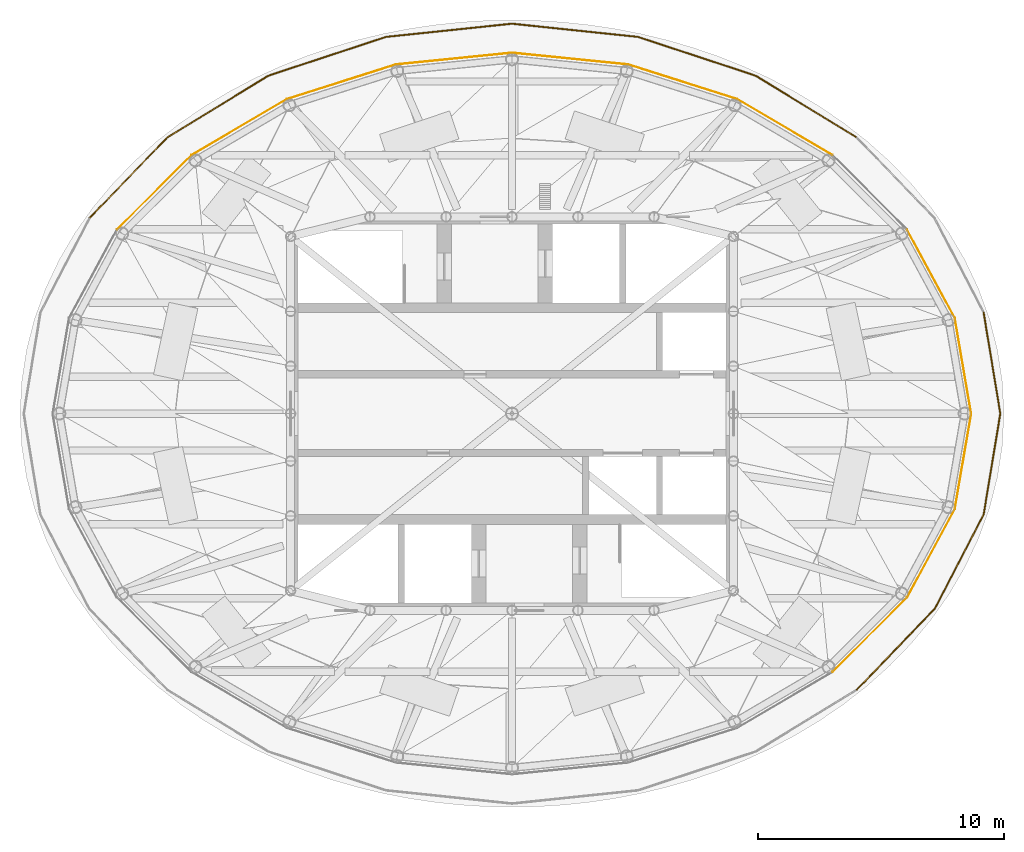
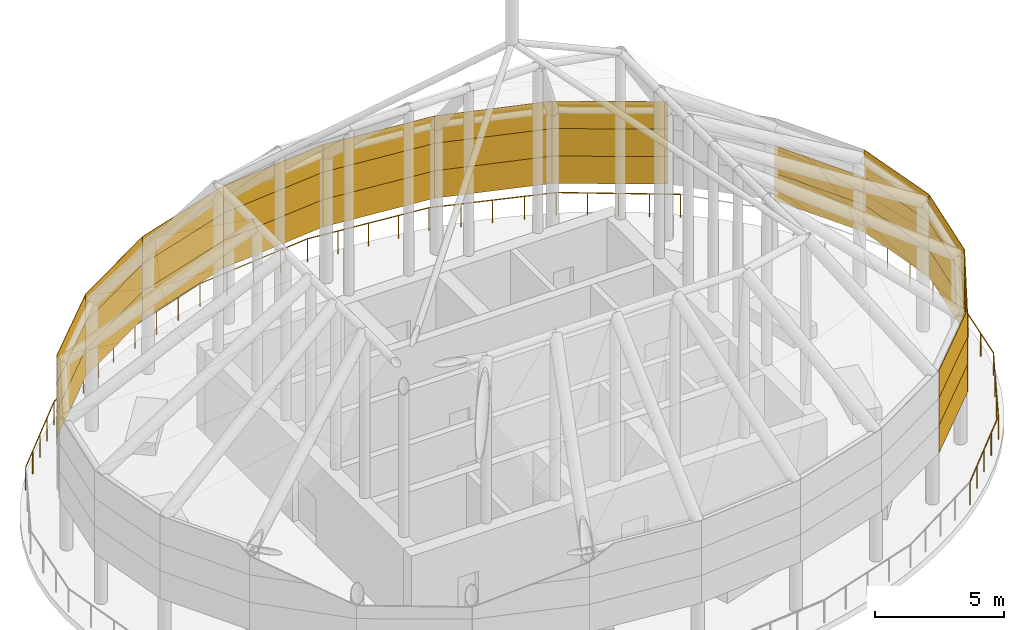
# One storey, part 7 of 8: 35 coverings, 11 railings.
"""IFC4 building model written with IfcOpenShell, lengths in metres."""

from ifc_helpers import new_model, si_unit, direction, frame, origin, origin_2d, place, context, subcontext, project, spatial, polyline, circle, outline, extrude, material, layer, layer_set, type_object, element, save


model = new_model("IFC4")

# Units and contexts
model_context = context("Model", 3, precision=1e-05, world=origin(), true_north=direction((0.0, 1.0)))
body_context = subcontext(model_context, "Body", "Model", "MODEL_VIEW")
ifc_project = project(units=[si_unit("LENGTHUNIT", "METRE"), si_unit("AREAUNIT", "SQUARE_METRE"), si_unit("VOLUMEUNIT", "CUBIC_METRE"), si_unit("PLANEANGLEUNIT", "RADIAN"), si_unit("MASSUNIT", "GRAM", prefix="KILO")], contexts=[model_context])

# Site, building, storey
site_placement = place(None, origin())
site = spatial("IfcSite", under=ifc_project, at=site_placement, CompositionType="ELEMENT")
building_placement = place(site_placement, origin())
building = spatial("IfcBuilding", under=site, at=building_placement, Name="Hankou Lantern Tower", CompositionType="ELEMENT")
storey_placement = place(building_placement, frame((0.0, 0.0, 248.699951171875)))
storey = spatial("IfcBuildingStorey", under=building, at=storey_placement, Name="RF", CompositionType="ELEMENT", Elevation=248.699951171875)

# Railings
ifc_material_1 = material(Name="Stainless steel and laminated glass guard", Category="steel")
railing_type = type_object("IfcRailingType", Name="GR1 GUARD 1100", PredefinedType="GUARDRAIL", material=ifc_material_1)
railing_1_placement = place(storey_placement, frame((19.85009765625, 0.0, 0.0)))
element("IfcRailing", 1, at=railing_1_placement, inside=storey, type_object=railing_type, Name="Roof garden guard R01", PredefinedType="GUARDRAIL", context=body_context, shape_type="SweptSolid", body=[
    extrude(circle(Radius=0.02392578125, at=origin_2d()), frame((0.0, 0.0, 1.076171875), z_axis=(-0.163001624862, 0.986625800541, 0.0), x_axis=(-0.986625800541, -0.163001624862, 0.0)), (0.0, 0.0, 1.0), 4.165283203125),
    extrude(circle(Radius=0.02099609375, at=origin_2d()), origin(), (0.0, 0.0, 1.0), 1.052001953125),
    extrude(circle(Radius=0.02099609375, at=origin_2d()), frame((-0.226318359375, 1.369873046875, 0.0)), (0.0, 0.0, 1.0), 1.052001953125),
    extrude(circle(Radius=0.02099609375, at=origin_2d()), frame((-0.45263671875, 2.73974609375, 0.0)), (0.0, 0.0, 1.0), 1.052001953125),
    extrude(circle(Radius=0.02099609375, at=origin_2d()), frame((-0.678955078125, 4.109619140625, 0.0)), (0.0, 0.0, 1.0), 1.052001953125),
])
railing_2_placement = place(storey_placement, frame((14.022705078125, 11.21826171875, 0.0)))
element("IfcRailing", 2, at=railing_2_placement, inside=storey, type_object=railing_type, Name="Roof garden guard R04", PredefinedType="GUARDRAIL", context=body_context, shape_type="SweptSolid", body=[
    extrude(circle(Radius=0.02392578125, at=origin_2d()), frame((0.0, 0.0, 1.076171875), z_axis=(-0.853108995208, 0.521732730711, 0.0), x_axis=(-0.521732730711, -0.853108995208, 0.0)), (0.0, 0.0, 1.0), 4.81982421875),
    extrude(circle(Radius=0.02099609375, at=origin_2d()), origin(), (0.0, 0.0, 1.0), 1.052001953125),
    extrude(circle(Radius=0.02099609375, at=origin_2d()), frame((-1.02783203125, 0.628662109375, 0.0)), (0.0, 0.0, 1.0), 1.052001953125),
    extrude(circle(Radius=0.02099609375, at=origin_2d()), frame((-2.055908203125, 1.25732421875, 0.0)), (0.0, 0.0, 1.0), 1.052001953125),
    extrude(circle(Radius=0.02099609375, at=origin_2d()), frame((-3.083984375, 1.885986328125, 0.0)), (0.0, 0.0, 1.0), 1.052001953125),
    extrude(circle(Radius=0.02099609375, at=origin_2d()), frame((-4.11181640625, 2.5146484375, 0.0)), (0.0, 0.0, 1.0), 1.052001953125),
])
railing_3_placement = place(storey_placement, frame((9.910888671875, 13.73291015625, 0.0)))
element("IfcRailing", 3, at=railing_3_placement, inside=storey, type_object=railing_type, Name="Roof garden guard R05", PredefinedType="GUARDRAIL", context=body_context, shape_type="SweptSolid", body=[
    extrude(circle(Radius=0.02392578125, at=origin_2d()), frame((0.0, 0.0, 1.076171875), z_axis=(-0.949590701779, 0.313492422707, 0.0), x_axis=(-0.313492422707, -0.949590701779, 0.0)), (0.0, 0.0, 1.0), 5.036376953125),
    extrude(circle(Radius=0.02099609375, at=origin_2d()), origin(), (0.0, 0.0, 1.0), 1.052001953125),
    extrude(circle(Radius=0.02099609375, at=origin_2d()), frame((-1.195556640625, 0.394775390625, 0.0)), (0.0, 0.0, 1.0), 1.052001953125),
    extrude(circle(Radius=0.02099609375, at=origin_2d()), frame((-2.39111328125, 0.78955078125, 0.0)), (0.0, 0.0, 1.0), 1.052001953125),
    extrude(circle(Radius=0.02099609375, at=origin_2d()), frame((-3.5869140625, 1.18408203125, 0.0)), (0.0, 0.0, 1.0), 1.052001953125),
    extrude(circle(Radius=0.02099609375, at=origin_2d()), frame((-4.782470703125, 1.578857421875, 0.0)), (0.0, 0.0, 1.0), 1.052001953125),
])
railing_4_placement = place(storey_placement, frame((5.12841796875, 15.311767578125, 0.0)))
element("IfcRailing", 4, at=railing_4_placement, inside=storey, type_object=railing_type, Name="Roof garden guard R06", PredefinedType="GUARDRAIL", context=body_context, shape_type="SweptSolid", body=[
    extrude(circle(Radius=0.02392578125, at=origin_2d()), frame((0.0, 0.0, 1.076171875), z_axis=(-0.994535764007, 0.10439642767, 0.0), x_axis=(-0.10439642767, -0.994535764007, 0.0)), (0.0, 0.0, 1.0), 5.156494140625),
    extrude(circle(Radius=0.02099609375, at=origin_2d()), origin(), (0.0, 0.0, 1.0), 1.052001953125),
    extrude(circle(Radius=0.02099609375, at=origin_2d()), frame((-1.2822265625, 0.134521484375, 0.0)), (0.0, 0.0, 1.0), 1.052001953125),
    extrude(circle(Radius=0.02099609375, at=origin_2d()), frame((-2.564208984375, 0.26904296875, 0.0)), (0.0, 0.0, 1.0), 1.052001953125),
    extrude(circle(Radius=0.02099609375, at=origin_2d()), frame((-3.84619140625, 0.40380859375, 0.0)), (0.0, 0.0, 1.0), 1.052001953125),
    extrude(circle(Radius=0.02099609375, at=origin_2d()), frame((-5.12841796875, 0.538330078125, 0.0)), (0.0, 0.0, 1.0), 1.052001953125),
])
railing_5_placement = place(storey_placement, frame((0.0, 15.85009765625, 0.0)))
element("IfcRailing", 5, at=railing_5_placement, inside=storey, type_object=railing_type, Name="Roof garden guard R07", PredefinedType="GUARDRAIL", context=body_context, shape_type="SweptSolid", body=[
    extrude(circle(Radius=0.02392578125, at=origin_2d()), frame((0.0, 0.0, 1.076171875), z_axis=(-0.994535764007, -0.10439642767, 0.0), x_axis=(0.10439642767, -0.994535764007, 0.0)), (0.0, 0.0, 1.0), 5.156494140625),
    extrude(circle(Radius=0.02099609375, at=origin_2d()), origin(), (0.0, 0.0, 1.0), 1.052001953125),
    extrude(circle(Radius=0.02099609375, at=origin_2d()), frame((-1.2822265625, -0.134521484375, 0.0)), (0.0, 0.0, 1.0), 1.052001953125),
    extrude(circle(Radius=0.02099609375, at=origin_2d()), frame((-2.564208984375, -0.26904296875, 0.0)), (0.0, 0.0, 1.0), 1.052001953125),
    extrude(circle(Radius=0.02099609375, at=origin_2d()), frame((-3.84619140625, -0.40380859375, 0.0)), (0.0, 0.0, 1.0), 1.052001953125),
    extrude(circle(Radius=0.02099609375, at=origin_2d()), frame((-5.12841796875, -0.538330078125, 0.0)), (0.0, 0.0, 1.0), 1.052001953125),
])
railing_6_placement = place(storey_placement, frame((-5.12841796875, 15.311767578125, 0.0)))
element("IfcRailing", 6, at=railing_6_placement, inside=storey, type_object=railing_type, Name="Roof garden guard R08", PredefinedType="GUARDRAIL", context=body_context, shape_type="SweptSolid", body=[
    extrude(circle(Radius=0.02392578125, at=origin_2d()), frame((0.0, 0.0, 1.076171875), z_axis=(-0.949590701779, -0.313492422707, 0.0), x_axis=(0.313492422707, -0.949590701779, 0.0)), (0.0, 0.0, 1.0), 5.036376953125),
    extrude(circle(Radius=0.02099609375, at=origin_2d()), origin(), (0.0, 0.0, 1.0), 1.052001953125),
    extrude(circle(Radius=0.02099609375, at=origin_2d()), frame((-1.195556640625, -0.394775390625, 0.0)), (0.0, 0.0, 1.0), 1.052001953125),
    extrude(circle(Radius=0.02099609375, at=origin_2d()), frame((-2.39111328125, -0.78955078125, 0.0)), (0.0, 0.0, 1.0), 1.052001953125),
    extrude(circle(Radius=0.02099609375, at=origin_2d()), frame((-3.5869140625, -1.18408203125, 0.0)), (0.0, 0.0, 1.0), 1.052001953125),
    extrude(circle(Radius=0.02099609375, at=origin_2d()), frame((-4.782470703125, -1.578857421875, 0.0)), (0.0, 0.0, 1.0), 1.052001953125),
])
railing_7_placement = place(storey_placement, frame((-9.910888671875, 13.73291015625, 0.0)))
element("IfcRailing", 7, at=railing_7_placement, inside=storey, type_object=railing_type, Name="Roof garden guard R09", PredefinedType="GUARDRAIL", context=body_context, shape_type="SweptSolid", body=[
    extrude(circle(Radius=0.02392578125, at=origin_2d()), frame((0.0, 0.0, 1.076171875), z_axis=(-0.853108995208, -0.521732730711, 0.0), x_axis=(0.521732730711, -0.853108995208, 0.0)), (0.0, 0.0, 1.0), 4.81982421875),
    extrude(circle(Radius=0.02099609375, at=origin_2d()), origin(), (0.0, 0.0, 1.0), 1.052001953125),
    extrude(circle(Radius=0.02099609375, at=origin_2d()), frame((-1.02783203125, -0.628662109375, 0.0)), (0.0, 0.0, 1.0), 1.052001953125),
    extrude(circle(Radius=0.02099609375, at=origin_2d()), frame((-2.055908203125, -1.25732421875, 0.0)), (0.0, 0.0, 1.0), 1.052001953125),
    extrude(circle(Radius=0.02099609375, at=origin_2d()), frame((-3.083984375, -1.885986328125, 0.0)), (0.0, 0.0, 1.0), 1.052001953125),
    extrude(circle(Radius=0.02099609375, at=origin_2d()), frame((-4.11181640625, -2.5146484375, 0.0)), (0.0, 0.0, 1.0), 1.052001953125),
])
railing_8_placement = place(storey_placement, frame((-14.022705078125, 11.21826171875, 0.0)))
element("IfcRailing", 8, at=railing_8_placement, inside=storey, type_object=railing_type, Name="Roof garden guard R10", PredefinedType="GUARDRAIL", context=body_context, shape_type="SweptSolid", body=[
    extrude(circle(Radius=0.02392578125, at=origin_2d()), frame((0.0, 0.0, 1.076171875), z_axis=(-0.693555176041, -0.720403510394, 0.0), x_axis=(0.720403510394, -0.693555176041, 0.0)), (0.0, 0.0, 1.0), 4.5556640625),
    extrude(circle(Radius=0.02099609375, at=origin_2d()), origin(), (0.0, 0.0, 1.0), 1.052001953125),
    extrude(circle(Radius=0.02099609375, at=origin_2d()), frame((-0.7900390625, -0.820556640625, 0.0)), (0.0, 0.0, 1.0), 1.052001953125),
    extrude(circle(Radius=0.02099609375, at=origin_2d()), frame((-1.579833984375, -1.64111328125, 0.0)), (0.0, 0.0, 1.0), 1.052001953125),
    extrude(circle(Radius=0.02099609375, at=origin_2d()), frame((-2.36962890625, -2.46142578125, 0.0)), (0.0, 0.0, 1.0), 1.052001953125),
    extrude(circle(Radius=0.02099609375, at=origin_2d()), frame((-3.15966796875, -3.281982421875, 0.0)), (0.0, 0.0, 1.0), 1.052001953125),
])
railing_9_placement = place(storey_placement, frame((14.022705078125, -11.21826171875, 0.0)))
element("IfcRailing", 9, at=railing_9_placement, inside=storey, type_object=railing_type, Name="Roof garden guard R22", PredefinedType="GUARDRAIL", context=body_context, shape_type="SweptSolid", body=[
    extrude(circle(Radius=0.02392578125, at=origin_2d()), frame((0.0, 0.0, 1.076171875), z_axis=(0.693555176041, 0.720403510394, 0.0), x_axis=(-0.720403510394, 0.693555176041, 0.0)), (0.0, 0.0, 1.0), 4.5556640625),
    extrude(circle(Radius=0.02099609375, at=origin_2d()), origin(), (0.0, 0.0, 1.0), 1.052001953125),
    extrude(circle(Radius=0.02099609375, at=origin_2d()), frame((0.7900390625, 0.820556640625, 0.0)), (0.0, 0.0, 1.0), 1.052001953125),
    extrude(circle(Radius=0.02099609375, at=origin_2d()), frame((1.579833984375, 1.64111328125, 0.0)), (0.0, 0.0, 1.0), 1.052001953125),
    extrude(circle(Radius=0.02099609375, at=origin_2d()), frame((2.36962890625, 2.46142578125, 0.0)), (0.0, 0.0, 1.0), 1.052001953125),
    extrude(circle(Radius=0.02099609375, at=origin_2d()), frame((3.15966796875, 3.281982421875, 0.0)), (0.0, 0.0, 1.0), 1.052001953125),
])
railing_10_placement = place(storey_placement, frame((17.182373046875, -7.936279296875, 0.0)))
element("IfcRailing", 10, at=railing_10_placement, inside=storey, type_object=railing_type, Name="Roof garden guard R23", PredefinedType="GUARDRAIL", context=body_context, shape_type="SweptSolid", body=[
    extrude(circle(Radius=0.02392578125, at=origin_2d()), frame((0.0, 0.0, 1.076171875), z_axis=(0.461153089245, 0.887320589347, 0.0), x_axis=(-0.887320589347, 0.461153089245, 0.0)), (0.0, 0.0, 1.0), 4.3125),
    extrude(circle(Radius=0.02099609375, at=origin_2d()), origin(), (0.0, 0.0, 1.0), 1.052001953125),
    extrude(circle(Radius=0.02099609375, at=origin_2d()), frame((0.662841796875, 1.275634765625, 0.0)), (0.0, 0.0, 1.0), 1.052001953125),
    extrude(circle(Radius=0.02099609375, at=origin_2d()), frame((1.325927734375, 2.551025390625, 0.0)), (0.0, 0.0, 1.0), 1.052001953125),
    extrude(circle(Radius=0.02099609375, at=origin_2d()), frame((1.98876953125, 3.82666015625, 0.0)), (0.0, 0.0, 1.0), 1.052001953125),
])
railing_11_placement = place(storey_placement, frame((19.171142578125, -4.109619140625, 0.0)))
element("IfcRailing", 11, at=railing_11_placement, inside=storey, type_object=railing_type, Name="Roof garden guard R24", PredefinedType="GUARDRAIL", context=body_context, shape_type="SweptSolid", body=[
    extrude(circle(Radius=0.02392578125, at=origin_2d()), frame((0.0, 0.0, 1.076171875), z_axis=(0.163001624862, 0.986625800541, 0.0), x_axis=(-0.986625800541, 0.163001624862, 0.0)), (0.0, 0.0, 1.0), 4.165283203125),
    extrude(circle(Radius=0.02099609375, at=origin_2d()), origin(), (0.0, 0.0, 1.0), 1.052001953125),
    extrude(circle(Radius=0.02099609375, at=origin_2d()), frame((0.226318359375, 1.369873046875, 0.0)), (0.0, 0.0, 1.0), 1.052001953125),
    extrude(circle(Radius=0.02099609375, at=origin_2d()), frame((0.45263671875, 2.73974609375, 0.0)), (0.0, 0.0, 1.0), 1.052001953125),
    extrude(circle(Radius=0.02099609375, at=origin_2d()), frame((0.678955078125, 4.109619140625, 0.0)), (0.0, 0.0, 1.0), 1.052001953125),
])

# Coverings
ifc_material_2 = material(Name="Perforated aluminium, black anodised", Category="aluminium")
ifc_layer = layer(ifc_material_2, 0.02001953125)
ifc_layer_set = layer_set([ifc_layer], Name="Perforated aluminium, black anodised")
covering_type = type_object("IfcCoveringType", Name="LS1 LANTERN SCREEN PANEL", PredefinedType="CLADDING", material=ifc_layer_set)
covering_1_placement = place(storey_placement, frame((18.677978515625, 0.00341796875, 2.35009765625), z_axis=(0.985553571326, 0.169363980958, 0.0), x_axis=(-0.169363980958, 0.985553571326, 0.0)))
element("IfcCovering", 12, at=covering_1_placement, inside=storey, type_object=covering_type, Name="Lantern screen R01-R02 row 1", PredefinedType="CLADDING", context=body_context, shape_type="SweptSolid", body=[
    extrude(outline(polyline([(0.0, 0.0), (3.9454250357412843, 0.0), (3.9454250357412843, 1.300048828125), (0.0, 1.300048828125), (0.0, 0.0)])), origin(), (0.0, 0.0, -1.0), 0.02001953125),
])
covering_2_placement = place(storey_placement, frame((18.677978515625, 0.00341796875, 3.650146484375), z_axis=(0.985553571326, 0.169363980958, 0.0), x_axis=(-0.169363980958, 0.985553571326, 0.0)))
element("IfcCovering", 13, at=covering_2_placement, inside=storey, type_object=covering_type, Name="Lantern screen R01-R02 row 2", PredefinedType="CLADDING", context=body_context, shape_type="SweptSolid", body=[
    extrude(outline(polyline([(0.0, 0.0), (3.9454250357412843, 0.0), (3.9454250357412843, 1.2998046875), (0.0, 1.2998046875), (0.0, 0.0)])), origin(), (0.0, 0.0, -1.0), 0.02001953125),
])
covering_3_placement = place(storey_placement, frame((18.677978515625, 0.00341796875, 4.949951171875), z_axis=(0.985553571326, 0.169363980958, 0.0), x_axis=(-0.169363980958, 0.985553571326, 0.0)))
element("IfcCovering", 14, at=covering_3_placement, inside=storey, type_object=covering_type, Name="Lantern screen R01-R02 row 3", PredefinedType="CLADDING", context=body_context, shape_type="SweptSolid", body=[
    extrude(outline(polyline([(0.0, 0.0), (3.9454250357412843, 0.0), (3.9454250357412843, 1.300048828125), (0.0, 1.300048828125), (0.0, 0.0)])), origin(), (0.0, 0.0, -1.0), 0.02001953125),
])
covering_4_placement = place(storey_placement, frame((18.007568359375, 3.89794921875, 2.35009765625), z_axis=(0.879673317094, 0.475578442734, 0.0), x_axis=(-0.475578442734, 0.879673317094, 0.0)))
element("IfcCovering", 15, at=covering_4_placement, inside=storey, type_object=covering_type, Name="Lantern screen R02-R03 row 1", PredefinedType="CLADDING", context=body_context, shape_type="SweptSolid", body=[
    extrude(outline(polyline([(0.0, 0.0), (4.074499528377186, 0.0), (4.074499528377186, 1.3000488281249998), (0.0, 1.3000488281249998), (0.0, 0.0)])), origin(), (0.0, 0.0, -1.0), 0.02001953125),
])
covering_5_placement = place(storey_placement, frame((18.007568359375, 3.89794921875, 3.650146484375), z_axis=(0.879673317094, 0.475578442734, 0.0), x_axis=(-0.475578442734, 0.879673317094, 0.0)))
element("IfcCovering", 16, at=covering_5_placement, inside=storey, type_object=covering_type, Name="Lantern screen R02-R03 row 2", PredefinedType="CLADDING", context=body_context, shape_type="SweptSolid", body=[
    extrude(outline(polyline([(0.0, 0.0), (4.074499528377186, 0.0), (4.074499528377186, 1.2998046875), (0.0, 1.2998046875), (0.0, 0.0)])), origin(), (0.0, 0.0, -1.0), 0.02001953125),
])
covering_6_placement = place(storey_placement, frame((13.033935546875, 10.513916015625, 2.35009765625), z_axis=(0.506799128551, 0.862064175859, 0.0), x_axis=(-0.862064175859, 0.506799128551, 0.0)))
element("IfcCovering", 17, at=covering_6_placement, inside=storey, type_object=covering_type, Name="Lantern screen R04-R05 row 1", PredefinedType="CLADDING", context=body_context, shape_type="SweptSolid", body=[
    extrude(outline(polyline([(0.0, 0.0), (4.490210494500201, 0.0), (4.490210494500201, 1.300048828125), (0.0, 1.300048828125), (0.0, 0.0)])), origin(), (0.0, 0.0, -1.0), 0.02001953125),
])
covering_7_placement = place(storey_placement, frame((13.033935546875, 10.513916015625, 3.650146484375), z_axis=(0.506799128551, 0.862064175859, 0.0), x_axis=(-0.862064175859, 0.506799128551, 0.0)))
element("IfcCovering", 18, at=covering_7_placement, inside=storey, type_object=covering_type, Name="Lantern screen R04-R05 row 2", PredefinedType="CLADDING", context=body_context, shape_type="SweptSolid", body=[
    extrude(outline(polyline([(0.0, 0.0), (4.490210494500201, 0.0), (4.490210494500201, 1.2998046875), (0.0, 1.2998046875), (0.0, 0.0)])), origin(), (0.0, 0.0, -1.0), 0.02001953125),
])
covering_8_placement = place(storey_placement, frame((13.033935546875, 10.513916015625, 4.949951171875), z_axis=(0.506799128551, 0.862064175859, 0.0), x_axis=(-0.862064175859, 0.506799128551, 0.0)))
element("IfcCovering", 19, at=covering_8_placement, inside=storey, type_object=covering_type, Name="Lantern screen R04-R05 row 3", PredefinedType="CLADDING", context=body_context, shape_type="SweptSolid", body=[
    extrude(outline(polyline([(0.0, 0.0), (4.490210494500201, 0.0), (4.490210494500201, 1.300048828125), (0.0, 1.300048828125), (0.0, 0.0)])), origin(), (0.0, 0.0, -1.0), 0.02001953125),
])
covering_9_placement = place(storey_placement, frame((9.1591796875, 12.791259765625, 2.35009765625), z_axis=(0.302486841956, 0.953153560788, 0.0), x_axis=(-0.953153560788, 0.302486841956, 0.0)))
element("IfcCovering", 20, at=covering_9_placement, inside=storey, type_object=covering_type, Name="Lantern screen R05-R06 row 1", PredefinedType="CLADDING", context=body_context, shape_type="SweptSolid", body=[
    extrude(outline(polyline([(0.0, 0.0), (4.653805218916404, 0.0), (4.653805218916404, 1.3000488281250002), (0.0, 1.3000488281250002), (0.0, 0.0)])), origin(), (0.0, 0.0, -1.0), 0.02001953125),
])
covering_10_placement = place(storey_placement, frame((9.1591796875, 12.791259765625, 3.650146484375), z_axis=(0.302486841956, 0.953153560788, 0.0), x_axis=(-0.953153560788, 0.302486841956, 0.0)))
element("IfcCovering", 21, at=covering_10_placement, inside=storey, type_object=covering_type, Name="Lantern screen R05-R06 row 2", PredefinedType="CLADDING", context=body_context, shape_type="SweptSolid", body=[
    extrude(outline(polyline([(0.0, 0.0), (4.653805218916403, 0.0), (4.653805218916403, 1.2998046875), (0.0, 1.2998046875), (0.0, 0.0)])), origin(), (0.0, 0.0, -1.0), 0.02001953125),
])
covering_11_placement = place(storey_placement, frame((9.1591796875, 12.791259765625, 4.949951171875), z_axis=(0.302486841956, 0.953153560788, 0.0), x_axis=(-0.953153560788, 0.302486841956, 0.0)))
element("IfcCovering", 22, at=covering_11_placement, inside=storey, type_object=covering_type, Name="Lantern screen R05-R06 row 3", PredefinedType="CLADDING", context=body_context, shape_type="SweptSolid", body=[
    extrude(outline(polyline([(0.0, 0.0), (4.653805218916404, 0.0), (4.653805218916404, 1.3000488281250002), (0.0, 1.3000488281250002), (0.0, 0.0)])), origin(), (0.0, 0.0, -1.0), 0.02001953125),
])
covering_12_placement = place(storey_placement, frame((4.71923828125, 14.199951171875, 2.35009765625), z_axis=(0.100360202332, 0.99495116955, 0.0), x_axis=(-0.99495116955, 0.100360202332, 0.0)))
element("IfcCovering", 23, at=covering_12_placement, inside=storey, type_object=covering_type, Name="Lantern screen R06-R07 row 1", PredefinedType="CLADDING", context=body_context, shape_type="SweptSolid", body=[
    extrude(outline(polyline([(0.0, 0.0), (4.74122278622562, 0.0), (4.74122278622562, 1.3000488281250002), (0.0, 1.3000488281250002), (0.0, 0.0)])), origin(), (0.0, 0.0, -1.0), 0.02001953125),
])
covering_13_placement = place(storey_placement, frame((4.71923828125, 14.199951171875, 3.650146484375), z_axis=(0.100360202332, 0.99495116955, 0.0), x_axis=(-0.99495116955, 0.100360202332, 0.0)))
element("IfcCovering", 24, at=covering_13_placement, inside=storey, type_object=covering_type, Name="Lantern screen R06-R07 row 2", PredefinedType="CLADDING", context=body_context, shape_type="SweptSolid", body=[
    extrude(outline(polyline([(0.0, 0.0), (4.74122278622562, 0.0), (4.74122278622562, 1.2998046875), (0.0, 1.2998046875), (0.0, 0.0)])), origin(), (0.0, 0.0, -1.0), 0.02001953125),
])
covering_14_placement = place(storey_placement, frame((4.71923828125, 14.199951171875, 4.949951171875), z_axis=(0.100360202332, 0.99495116955, 0.0), x_axis=(-0.99495116955, 0.100360202332, 0.0)))
element("IfcCovering", 25, at=covering_14_placement, inside=storey, type_object=covering_type, Name="Lantern screen R06-R07 row 3", PredefinedType="CLADDING", context=body_context, shape_type="SweptSolid", body=[
    extrude(outline(polyline([(0.0, 0.0), (4.74122278622562, 0.0), (4.74122278622562, 1.3000488281250002), (0.0, 1.3000488281250002), (0.0, 0.0)])), origin(), (0.0, 0.0, -1.0), 0.02001953125),
])
covering_15_placement = place(storey_placement, frame((0.0, 14.65576171875, 2.35009765625), z_axis=(0.100360202332, -0.99495116955, 0.0), x_axis=(-0.99495116955, -0.100360202332, 0.0)))
element("IfcCovering", 26, at=covering_15_placement, inside=storey, type_object=covering_type, Name="Lantern screen R07-R08 row 1", PredefinedType="CLADDING", context=body_context, shape_type="SweptSolid", body=[
    extrude(outline(polyline([(0.0, 0.0), (4.74122278622562, 0.0), (4.74122278622562, -1.3000488281250002), (0.0, -1.3000488281250002), (0.0, 0.0)])), origin(), (0.0, 0.0, -1.0), 0.02001953125),
])
covering_16_placement = place(storey_placement, frame((0.0, 14.65576171875, 3.650146484375), z_axis=(0.100360202332, -0.99495116955, 0.0), x_axis=(-0.99495116955, -0.100360202332, 0.0)))
element("IfcCovering", 27, at=covering_16_placement, inside=storey, type_object=covering_type, Name="Lantern screen R07-R08 row 2", PredefinedType="CLADDING", context=body_context, shape_type="SweptSolid", body=[
    extrude(outline(polyline([(0.0, 0.0), (4.74122278622562, 0.0), (4.74122278622562, -1.2998046875), (0.0, -1.2998046875), (0.0, 0.0)])), origin(), (0.0, 0.0, -1.0), 0.02001953125),
])
covering_17_placement = place(storey_placement, frame((0.0, 14.65576171875, 4.949951171875), z_axis=(0.100360202332, -0.99495116955, 0.0), x_axis=(-0.99495116955, -0.100360202332, 0.0)))
element("IfcCovering", 28, at=covering_17_placement, inside=storey, type_object=covering_type, Name="Lantern screen R07-R08 row 3", PredefinedType="CLADDING", context=body_context, shape_type="SweptSolid", body=[
    extrude(outline(polyline([(0.0, 0.0), (4.74122278622562, 0.0), (4.74122278622562, -1.3000488281250002), (0.0, -1.3000488281250002), (0.0, 0.0)])), origin(), (0.0, 0.0, -1.0), 0.02001953125),
])
covering_18_placement = place(storey_placement, frame((-4.71728515625, 14.179931640625, 2.35009765625), z_axis=(0.302486841956, -0.953153560788, 0.0), x_axis=(-0.953153560788, -0.302486841956, 0.0)))
element("IfcCovering", 29, at=covering_18_placement, inside=storey, type_object=covering_type, Name="Lantern screen R08-R09 row 1", PredefinedType="CLADDING", context=body_context, shape_type="SweptSolid", body=[
    extrude(outline(polyline([(0.0, 0.0), (4.653805218916404, 0.0), (4.653805218916404, -1.3000488281250002), (0.0, -1.3000488281250002), (0.0, 0.0)])), origin(), (0.0, 0.0, -1.0), 0.02001953125),
])
covering_19_placement = place(storey_placement, frame((-4.71728515625, 14.179931640625, 3.650146484375), z_axis=(0.302486841956, -0.953153560788, 0.0), x_axis=(-0.953153560788, -0.302486841956, 0.0)))
element("IfcCovering", 30, at=covering_19_placement, inside=storey, type_object=covering_type, Name="Lantern screen R08-R09 row 2", PredefinedType="CLADDING", context=body_context, shape_type="SweptSolid", body=[
    extrude(outline(polyline([(0.0, 0.0), (4.653805218916403, 0.0), (4.653805218916403, -1.2998046875), (0.0, -1.2998046875), (0.0, 0.0)])), origin(), (0.0, 0.0, -1.0), 0.02001953125),
])
covering_20_placement = place(storey_placement, frame((-4.71728515625, 14.179931640625, 4.949951171875), z_axis=(0.302486841956, -0.953153560788, 0.0), x_axis=(-0.953153560788, -0.302486841956, 0.0)))
element("IfcCovering", 31, at=covering_20_placement, inside=storey, type_object=covering_type, Name="Lantern screen R08-R09 row 3", PredefinedType="CLADDING", context=body_context, shape_type="SweptSolid", body=[
    extrude(outline(polyline([(0.0, 0.0), (4.653805218916404, 0.0), (4.653805218916404, -1.3000488281250002), (0.0, -1.3000488281250002), (0.0, 0.0)])), origin(), (0.0, 0.0, -1.0), 0.02001953125),
])
covering_21_placement = place(storey_placement, frame((-9.153076171875, 12.772216796875, 2.35009765625), z_axis=(0.506799128551, -0.862064175859, 0.0), x_axis=(-0.862064175859, -0.506799128551, 0.0)))
element("IfcCovering", 32, at=covering_21_placement, inside=storey, type_object=covering_type, Name="Lantern screen R09-R10 row 1", PredefinedType="CLADDING", context=body_context, shape_type="SweptSolid", body=[
    extrude(outline(polyline([(0.0, 0.0), (4.490210494500201, 0.0), (4.490210494500201, -1.300048828125), (0.0, -1.300048828125), (0.0, 0.0)])), origin(), (0.0, 0.0, -1.0), 0.02001953125),
])
covering_22_placement = place(storey_placement, frame((-9.153076171875, 12.772216796875, 3.650146484375), z_axis=(0.506799128551, -0.862064175859, 0.0), x_axis=(-0.862064175859, -0.506799128551, 0.0)))
element("IfcCovering", 33, at=covering_22_placement, inside=storey, type_object=covering_type, Name="Lantern screen R09-R10 row 2", PredefinedType="CLADDING", context=body_context, shape_type="SweptSolid", body=[
    extrude(outline(polyline([(0.0, 0.0), (4.490210494500201, 0.0), (4.490210494500201, -1.2998046875), (0.0, -1.2998046875), (0.0, 0.0)])), origin(), (0.0, 0.0, -1.0), 0.02001953125),
])
covering_23_placement = place(storey_placement, frame((-9.153076171875, 12.772216796875, 4.949951171875), z_axis=(0.506799128551, -0.862064175859, 0.0), x_axis=(-0.862064175859, -0.506799128551, 0.0)))
element("IfcCovering", 34, at=covering_23_placement, inside=storey, type_object=covering_type, Name="Lantern screen R09-R10 row 3", PredefinedType="CLADDING", context=body_context, shape_type="SweptSolid", body=[
    extrude(outline(polyline([(0.0, 0.0), (4.490210494500201, 0.0), (4.490210494500201, -1.300048828125), (0.0, -1.300048828125), (0.0, 0.0)])), origin(), (0.0, 0.0, -1.0), 0.02001953125),
])
covering_24_placement = place(storey_placement, frame((-13.02392578125, 10.49658203125, 2.35009765625), z_axis=(0.706564598216, -0.70764854875, 0.0), x_axis=(-0.70764854875, -0.706564598216, 0.0)))
element("IfcCovering", 35, at=covering_24_placement, inside=storey, type_object=covering_type, Name="Lantern screen R10-R11 row 1", PredefinedType="CLADDING", context=body_context, shape_type="SweptSolid", body=[
    extrude(outline(polyline([(0.0, 0.0), (4.279412877831817, 0.0), (4.279412877831817, -1.3000488281250002), (0.0, -1.3000488281250002), (0.0, 0.0)])), origin(), (0.0, 0.0, -1.0), 0.02001953125),
])
covering_25_placement = place(storey_placement, frame((-13.02392578125, 10.49658203125, 3.650146484375), z_axis=(0.706564598216, -0.70764854875, 0.0), x_axis=(-0.70764854875, -0.706564598216, 0.0)))
element("IfcCovering", 36, at=covering_25_placement, inside=storey, type_object=covering_type, Name="Lantern screen R10-R11 row 2", PredefinedType="CLADDING", context=body_context, shape_type="SweptSolid", body=[
    extrude(outline(polyline([(0.0, 0.0), (4.279412877831817, 0.0), (4.279412877831817, -1.2998046875), (0.0, -1.2998046875), (0.0, 0.0)])), origin(), (0.0, 0.0, -1.0), 0.02001953125),
])
covering_26_placement = place(storey_placement, frame((-13.02392578125, 10.49658203125, 4.949951171875), z_axis=(0.706564598216, -0.70764854875, 0.0), x_axis=(-0.70764854875, -0.706564598216, 0.0)))
element("IfcCovering", 37, at=covering_26_placement, inside=storey, type_object=covering_type, Name="Lantern screen R10-R11 row 3", PredefinedType="CLADDING", context=body_context, shape_type="SweptSolid", body=[
    extrude(outline(polyline([(0.0, 0.0), (4.279412877831817, 0.0), (4.279412877831817, -1.3000488281250002), (0.0, -1.3000488281250002), (0.0, 0.0)])), origin(), (0.0, 0.0, -1.0), 0.02001953125),
])
covering_27_placement = place(storey_placement, frame((13.0380859375, -10.5107421875, 2.35009765625), z_axis=(0.706564598216, -0.70764854875, 0.0), x_axis=(0.70764854875, 0.706564598216, 0.0)))
element("IfcCovering", 38, at=covering_27_placement, inside=storey, type_object=covering_type, Name="Lantern screen R22-R23 row 1", PredefinedType="CLADDING", context=body_context, shape_type="SweptSolid", body=[
    extrude(outline(polyline([(0.0, 0.0), (4.279412877831817, 0.0), (4.279412877831817, 1.3000488281250002), (0.0, 1.3000488281250002), (0.0, 0.0)])), origin(), (0.0, 0.0, -1.0), 0.02001953125),
])
covering_28_placement = place(storey_placement, frame((13.0380859375, -10.5107421875, 3.650146484375), z_axis=(0.706564598216, -0.70764854875, 0.0), x_axis=(0.70764854875, 0.706564598216, 0.0)))
element("IfcCovering", 39, at=covering_28_placement, inside=storey, type_object=covering_type, Name="Lantern screen R22-R23 row 2", PredefinedType="CLADDING", context=body_context, shape_type="SweptSolid", body=[
    extrude(outline(polyline([(0.0, 0.0), (4.279412877831817, 0.0), (4.279412877831817, 1.2998046875), (0.0, 1.2998046875), (0.0, 0.0)])), origin(), (0.0, 0.0, -1.0), 0.02001953125),
])
covering_29_placement = place(storey_placement, frame((13.0380859375, -10.5107421875, 4.949951171875), z_axis=(0.706564598216, -0.70764854875, 0.0), x_axis=(0.70764854875, 0.706564598216, 0.0)))
element("IfcCovering", 40, at=covering_29_placement, inside=storey, type_object=covering_type, Name="Lantern screen R22-R23 row 3", PredefinedType="CLADDING", context=body_context, shape_type="SweptSolid", body=[
    extrude(outline(polyline([(0.0, 0.0), (4.279412877831817, 0.0), (4.279412877831817, 1.3000488281250002), (0.0, 1.3000488281250002), (0.0, 0.0)])), origin(), (0.0, 0.0, -1.0), 0.02001953125),
])
covering_30_placement = place(storey_placement, frame((16.06982421875, -7.482177734375, 2.35009765625), z_axis=(0.879673317094, -0.475578442734, 0.0), x_axis=(0.475578442734, 0.879673317094, 0.0)))
element("IfcCovering", 41, at=covering_30_placement, inside=storey, type_object=covering_type, Name="Lantern screen R23-R24 row 1", PredefinedType="CLADDING", context=body_context, shape_type="SweptSolid", body=[
    extrude(outline(polyline([(0.0, 0.0), (4.074499528377186, 0.0), (4.074499528377186, 1.3000488281249998), (0.0, 1.3000488281249998), (0.0, 0.0)])), origin(), (0.0, 0.0, -1.0), 0.02001953125),
])
covering_31_placement = place(storey_placement, frame((16.06982421875, -7.482177734375, 3.650146484375), z_axis=(0.879673317094, -0.475578442734, 0.0), x_axis=(0.475578442734, 0.879673317094, 0.0)))
element("IfcCovering", 42, at=covering_31_placement, inside=storey, type_object=covering_type, Name="Lantern screen R23-R24 row 2", PredefinedType="CLADDING", context=body_context, shape_type="SweptSolid", body=[
    extrude(outline(polyline([(0.0, 0.0), (4.074499528377186, 0.0), (4.074499528377186, 1.2998046875), (0.0, 1.2998046875), (0.0, 0.0)])), origin(), (0.0, 0.0, -1.0), 0.02001953125),
])
covering_32_placement = place(storey_placement, frame((16.06982421875, -7.482177734375, 4.949951171875), z_axis=(0.879673317094, -0.475578442734, 0.0), x_axis=(0.475578442734, 0.879673317094, 0.0)))
element("IfcCovering", 43, at=covering_32_placement, inside=storey, type_object=covering_type, Name="Lantern screen R23-R24 row 3", PredefinedType="CLADDING", context=body_context, shape_type="SweptSolid", body=[
    extrude(outline(polyline([(0.0, 0.0), (4.074499528377186, 0.0), (4.074499528377186, 1.3000488281249998), (0.0, 1.3000488281249998), (0.0, 0.0)])), origin(), (0.0, 0.0, -1.0), 0.02001953125),
])
covering_33_placement = place(storey_placement, frame((18.009765625, -3.891845703125, 2.35009765625), z_axis=(0.985553571326, -0.169363980958, 0.0), x_axis=(0.169363980958, 0.985553571326, 0.0)))
element("IfcCovering", 44, at=covering_33_placement, inside=storey, type_object=covering_type, Name="Lantern screen R24-R01 row 1", PredefinedType="CLADDING", context=body_context, shape_type="SweptSolid", body=[
    extrude(outline(polyline([(0.0, 0.0), (3.9454250357412843, 0.0), (3.9454250357412843, 1.300048828125), (0.0, 1.300048828125), (0.0, 0.0)])), origin(), (0.0, 0.0, -1.0), 0.02001953125),
])
covering_34_placement = place(storey_placement, frame((18.009765625, -3.891845703125, 3.650146484375), z_axis=(0.985553571326, -0.169363980958, 0.0), x_axis=(0.169363980958, 0.985553571326, 0.0)))
element("IfcCovering", 45, at=covering_34_placement, inside=storey, type_object=covering_type, Name="Lantern screen R24-R01 row 2", PredefinedType="CLADDING", context=body_context, shape_type="SweptSolid", body=[
    extrude(outline(polyline([(0.0, 0.0), (3.9454250357412843, 0.0), (3.9454250357412843, 1.2998046875), (0.0, 1.2998046875), (0.0, 0.0)])), origin(), (0.0, 0.0, -1.0), 0.02001953125),
])
covering_35_placement = place(storey_placement, frame((18.009765625, -3.891845703125, 4.949951171875), z_axis=(0.985553571326, -0.169363980958, 0.0), x_axis=(0.169363980958, 0.985553571326, 0.0)))
element("IfcCovering", 46, at=covering_35_placement, inside=storey, type_object=covering_type, Name="Lantern screen R24-R01 row 3", PredefinedType="CLADDING", context=body_context, shape_type="SweptSolid", body=[
    extrude(outline(polyline([(0.0, 0.0), (3.9454250357412843, 0.0), (3.9454250357412843, 1.300048828125), (0.0, 1.300048828125), (0.0, 0.0)])), origin(), (0.0, 0.0, -1.0), 0.02001953125),
])

save(model, "model.ifc")
